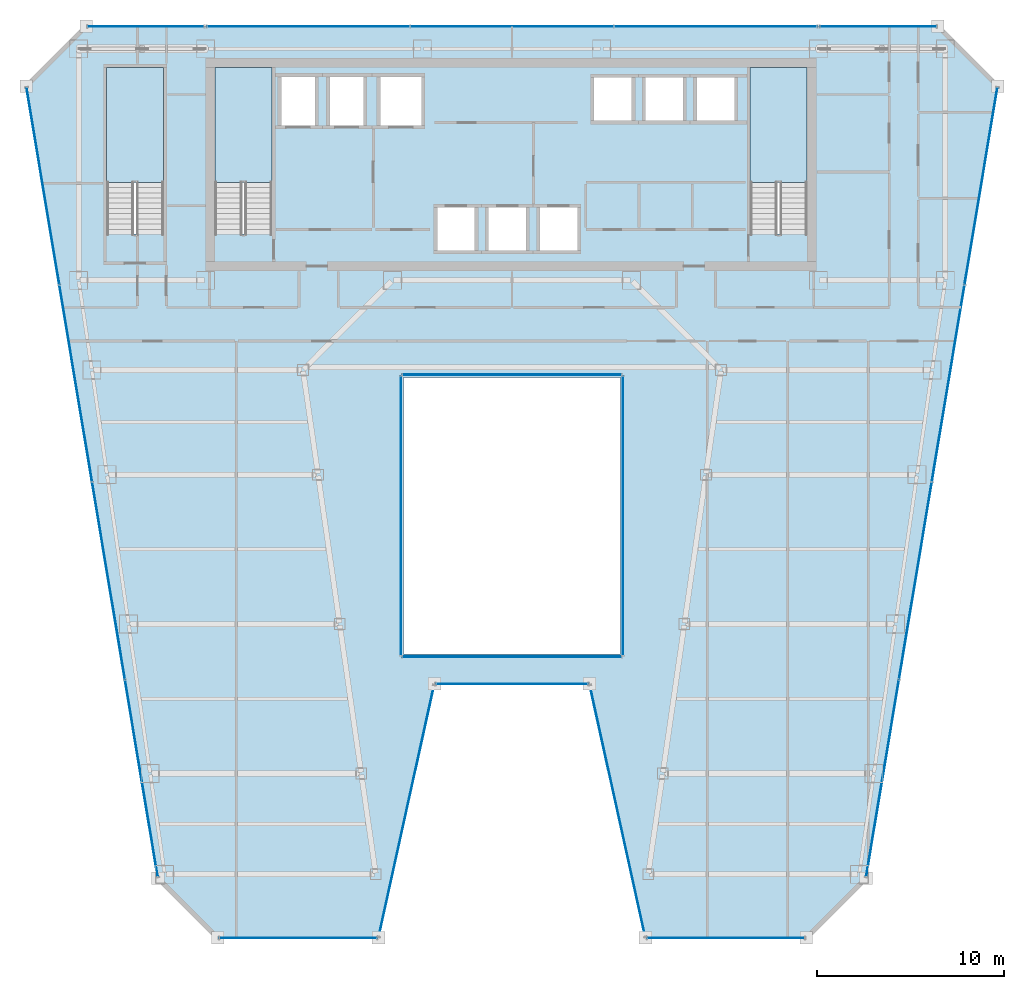
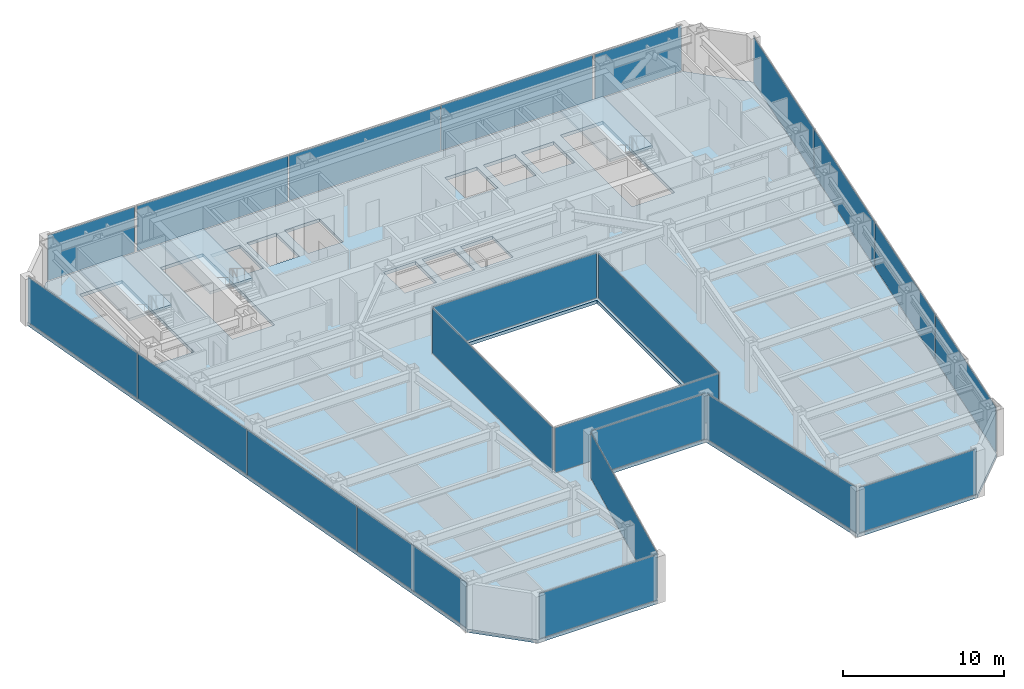
# One storey, part 29 of 37: 22 plates, 4 slabs, 17 elements without a shape of their own.
"""IFC4 building model written with IfcOpenShell, lengths in metres."""

from ifc_helpers import new_model, si_unit, direction, frame, origin, origin_2d, place, context, subcontext, project, spatial, polyline, rectangle, outline, extrude, material, layer, layer_set, type_object, element, aggregate, save


model = new_model("IFC4")

# Units and contexts
model_context = context("Model", 3, precision=1e-05, world=origin(), true_north=direction((0.0, 1.0)))
body_context = subcontext(model_context, "Body", "Model", "MODEL_VIEW")
ifc_project = project(units=[si_unit("LENGTHUNIT", "METRE"), si_unit("AREAUNIT", "SQUARE_METRE"), si_unit("VOLUMEUNIT", "CUBIC_METRE"), si_unit("PLANEANGLEUNIT", "RADIAN"), si_unit("MASSUNIT", "GRAM", prefix="KILO")], contexts=[model_context])

# Site, building, storey
site_placement = place(None, origin())
site = spatial("IfcSite", under=ifc_project, at=site_placement, CompositionType="ELEMENT")
building_placement = place(site_placement, origin())
building = spatial("IfcBuilding", under=site, at=building_placement, Name="Saevonmaru Cultural Tower", CompositionType="ELEMENT")
storey_placement = place(building_placement, frame((0.0, 0.0, 141.0)))
storey = spatial("IfcBuildingStorey", under=building, at=storey_placement, Name="L30", CompositionType="ELEMENT", Elevation=141.0)

# Curtain wall, plate
ifc_material_1 = material(Name="Satin Bronze Anodised Aluminium", Category="aluminium")
curtain_wall_type_1 = type_object("IfcCurtainWallType", Name="CW-ATR-GLZ", PredefinedType="NOTDEFINED", material=ifc_material_1)
curtain_wall_1_placement = place(storey_placement, origin())
curtain_wall_1 = element("IfcCurtainWall", 1, at=curtain_wall_1_placement, inside=storey, type_object=curtain_wall_type_1, Name="L30 Vertical Atrium Glazed Smoke Screen 1", PredefinedType="NOTDEFINED")
ifc_material_2 = material(Name="Fire-Rated Laminated Atrium Glass", Category="glass")
ifc_layer_1 = layer(ifc_material_2, 0.031982421875, Name="Fire-Rated Laminated Atrium Glass")
ifc_layer_set_1 = layer_set([ifc_layer_1], Name="Fire-Rated Laminated Atrium Glass")
plate_type_1 = type_object("IfcPlateType", Name="PN-GLZ-ATR-INT", PredefinedType="CURTAIN_PANEL", material=ifc_layer_set_1)
plate_1_placement = place(storey_placement, frame((30.0, 22.25, 0.06689453125), z_axis=(0.0, 0.0, 1.0), x_axis=(1.0, 0.0, 0.0)))
plate_1 = element("IfcPlate", 2, at=plate_1_placement, type_object=plate_type_1, Name="CW-ATR-L30-1 panel 1.1", PredefinedType="CURTAIN_PANEL", context=body_context, shape_type="SweptSolid", body=[
    extrude(rectangle(XDim=11.7109375, YDim=0.031982421875, at=origin_2d()), origin(), (0.0, 0.0, 1.0), 3.416015625),
])
aggregate(curtain_wall_1, [plate_1])

curtain_wall_2_placement = place(storey_placement, origin())
curtain_wall_2 = element("IfcCurtainWall", 3, at=curtain_wall_2_placement, inside=storey, type_object=curtain_wall_type_1, Name="L30 Vertical Atrium Glazed Smoke Screen 2", PredefinedType="NOTDEFINED")
plate_2_placement = place(storey_placement, frame((35.949951171875, 29.800048828125, 0.06689453125), z_axis=(0.0, 0.0, 1.0), x_axis=(0.0, 1.0, 0.0)))
plate_2 = element("IfcPlate", 4, at=plate_2_placement, type_object=plate_type_1, Name="CW-ATR-L30-2 panel 1.1", PredefinedType="CURTAIN_PANEL", context=body_context, shape_type="SweptSolid", body=[
    extrude(rectangle(XDim=14.910888671875, YDim=0.031982421875, at=origin_2d()), origin(), (0.0, 0.0, 1.0), 3.416015625),
])
aggregate(curtain_wall_2, [plate_2])

curtain_wall_3_placement = place(storey_placement, origin())
curtain_wall_3 = element("IfcCurtainWall", 5, at=curtain_wall_3_placement, inside=storey, type_object=curtain_wall_type_1, Name="L30 Vertical Atrium Glazed Smoke Screen 3", PredefinedType="NOTDEFINED")
plate_3_placement = place(storey_placement, frame((30.0, 37.35009765625, 0.06689453125), z_axis=(0.0, 0.0, 1.0), x_axis=(-1.0, 0.0, 0.0)))
plate_3 = element("IfcPlate", 6, at=plate_3_placement, type_object=plate_type_1, Name="CW-ATR-L30-3 panel 1.1", PredefinedType="CURTAIN_PANEL", context=body_context, shape_type="SweptSolid", body=[
    extrude(rectangle(XDim=11.7109375, YDim=0.031982421875, at=origin_2d()), origin(), (0.0, 0.0, 1.0), 3.416015625),
])
aggregate(curtain_wall_3, [plate_3])

curtain_wall_4_placement = place(storey_placement, origin())
curtain_wall_4 = element("IfcCurtainWall", 7, at=curtain_wall_4_placement, inside=storey, type_object=curtain_wall_type_1, Name="L30 Vertical Atrium Glazed Smoke Screen 4", PredefinedType="NOTDEFINED")
plate_4_placement = place(storey_placement, frame((24.050048828125, 29.800048828125, 0.06689453125), z_axis=(0.0, 0.0, 1.0), x_axis=(0.0, -1.0, 0.0)))
plate_4 = element("IfcPlate", 8, at=plate_4_placement, type_object=plate_type_1, Name="CW-ATR-L30-4 panel 1.1", PredefinedType="CURTAIN_PANEL", context=body_context, shape_type="SweptSolid", body=[
    extrude(rectangle(XDim=14.910888671875, YDim=0.031982421875, at=origin_2d()), origin(), (0.0, 0.0, 1.0), 3.416015625),
])
aggregate(curtain_wall_4, [plate_4])

curtain_wall_type_2 = type_object("IfcCurtainWallType", Name="CW-TYP-A", PredefinedType="NOTDEFINED", material=ifc_material_1)
curtain_wall_5_placement = place(storey_placement, origin())
curtain_wall_5 = element("IfcCurtainWall", 9, at=curtain_wall_5_placement, inside=storey, type_object=curtain_wall_type_2, Name="L30 Unitised Curtain Wall E2", PredefinedType="NOTDEFINED")
ifc_material_3 = material(Name="Triple Silver Low-E Insulating Glass", Category="glass")
ifc_layer_2 = layer(ifc_material_3, 0.035888671875, Name="Triple Silver Low-E Insulating Glass")
ifc_layer_set_2 = layer_set([ifc_layer_2], Name="Triple Silver Low-E Insulating Glass")
plate_type_2 = type_object("IfcPlateType", Name="PN-GLZ-IGU", PredefinedType="CURTAIN_PANEL", material=ifc_layer_set_2)
plate_5_placement = place(storey_placement, frame((18.548828125, 7.199951171875, 0.06689453125), z_axis=(0.0, 0.0, 1.0), x_axis=(1.0, 0.0, 0.0)))
plate_5 = element("IfcPlate", 10, at=plate_5_placement, type_object=plate_type_2, Name="CW-TW-L30-E2 panel 1.1", PredefinedType="CURTAIN_PANEL", context=body_context, shape_type="SweptSolid", body=[
    extrude(rectangle(XDim=8.410888671875, YDim=0.035888671875, at=origin_2d()), origin(), (0.0, 0.0, 1.0), 3.416015625),
])
aggregate(curtain_wall_5, [plate_5])

curtain_wall_6_placement = place(storey_placement, origin())
curtain_wall_6 = element("IfcCurtainWall", 11, at=curtain_wall_6_placement, inside=storey, type_object=curtain_wall_type_2, Name="L30 Unitised Curtain Wall E3", PredefinedType="NOTDEFINED")
plate_6_placement = place(storey_placement, frame((24.348876953125, 14.0, 0.06689453125), z_axis=(0.0, 0.0, 1.0), x_axis=(0.215413319953, 0.976522965212, 0.0)))
plate_6 = element("IfcPlate", 12, at=plate_6_placement, type_object=plate_type_2, Name="CW-TW-L30-E3 panel 1.1", PredefinedType="CURTAIN_PANEL", context=body_context, shape_type="SweptSolid", body=[
    extrude(rectangle(XDim=13.738037109375, YDim=0.035888671875, at=origin_2d()), origin(), (0.0, 0.0, 1.0), 3.416015625),
])
aggregate(curtain_wall_6, [plate_6])

curtain_wall_7_placement = place(storey_placement, origin())
curtain_wall_7 = element("IfcCurtainWall", 13, at=curtain_wall_7_placement, inside=storey, type_object=curtain_wall_type_2, Name="L30 Unitised Curtain Wall E4", PredefinedType="NOTDEFINED")
plate_7_placement = place(storey_placement, frame((30.0, 20.800048828125, 0.06689453125), z_axis=(0.0, 0.0, 1.0), x_axis=(1.0, 0.0, 0.0)))
plate_7 = element("IfcPlate", 14, at=plate_7_placement, type_object=plate_type_2, Name="CW-TW-L30-E4 panel 1.1", PredefinedType="CURTAIN_PANEL", context=body_context, shape_type="SweptSolid", body=[
    extrude(rectangle(XDim=8.11328125, YDim=0.035888671875, at=origin_2d()), origin(), (0.0, 0.0, 1.0), 3.416015625),
])
aggregate(curtain_wall_7, [plate_7])

curtain_wall_8_placement = place(storey_placement, origin())
curtain_wall_8 = element("IfcCurtainWall", 15, at=curtain_wall_8_placement, inside=storey, type_object=curtain_wall_type_2, Name="L30 Unitised Curtain Wall E5", PredefinedType="NOTDEFINED")
plate_8_placement = place(storey_placement, frame((35.651123046875, 14.0, 0.06689453125), z_axis=(0.0, 0.0, 1.0), x_axis=(0.215413319953, -0.976522965212, 0.0)))
plate_8 = element("IfcPlate", 16, at=plate_8_placement, type_object=plate_type_2, Name="CW-TW-L30-E5 panel 1.1", PredefinedType="CURTAIN_PANEL", context=body_context, shape_type="SweptSolid", body=[
    extrude(rectangle(XDim=13.738037109375, YDim=0.035888671875, at=origin_2d()), origin(), (0.0, 0.0, 1.0), 3.416015625),
])
aggregate(curtain_wall_8, [plate_8])

curtain_wall_9_placement = place(storey_placement, origin())
curtain_wall_9 = element("IfcCurtainWall", 17, at=curtain_wall_9_placement, inside=storey, type_object=curtain_wall_type_2, Name="L30 Unitised Curtain Wall E6", PredefinedType="NOTDEFINED")
plate_9_placement = place(storey_placement, frame((41.451171875, 7.199951171875, 0.06689453125), z_axis=(0.0, 0.0, 1.0), x_axis=(1.0, 0.0, 0.0)))
plate_9 = element("IfcPlate", 18, at=plate_9_placement, type_object=plate_type_2, Name="CW-TW-L30-E6 panel 1.1", PredefinedType="CURTAIN_PANEL", context=body_context, shape_type="SweptSolid", body=[
    extrude(rectangle(XDim=8.410888671875, YDim=0.035888671875, at=origin_2d()), origin(), (0.0, 0.0, 1.0), 3.416015625),
])
aggregate(curtain_wall_9, [plate_9])

# Curtain wall, plates
curtain_wall_10_placement = place(storey_placement, origin())
curtain_wall_10 = element("IfcCurtainWall", 19, at=curtain_wall_10_placement, inside=storey, type_object=curtain_wall_type_2, Name="L30 Unitised Curtain Wall E8", PredefinedType="NOTDEFINED")
plate_10_placement = place(storey_placement, frame((49.839599609375, 15.744384765625, 0.06689453125), z_axis=(0.0, 0.0, 1.0), x_axis=(0.163998702345, 0.986460554523, 0.0)))
plate_10 = element("IfcPlate", 20, at=plate_10_placement, type_object=plate_type_2, Name="CW-TW-L30-E8 panel 1.1", PredefinedType="CURTAIN_PANEL", context=body_context, shape_type="SweptSolid", body=[
    extrude(rectangle(XDim=10.646484375, YDim=0.035888671875, at=origin_2d()), origin(), (0.0, 0.0, 1.0), 3.416015625),
])
plate_11_placement = place(storey_placement, frame((51.596923828125, 26.314697265625, 0.06689453125), z_axis=(0.0, 0.0, 1.0), x_axis=(0.163998702345, 0.986460554523, 0.0)))
plate_11 = element("IfcPlate", 21, at=plate_11_placement, type_object=plate_type_2, Name="CW-TW-L30-E8 panel 2.1", PredefinedType="CURTAIN_PANEL", context=body_context, shape_type="SweptSolid", body=[
    extrude(rectangle(XDim=10.646484375, YDim=0.035888671875, at=origin_2d()), origin(), (0.0, 0.0, 1.0), 3.416015625),
])
plate_12_placement = place(storey_placement, frame((53.354248046875, 36.88525390625, 0.06689453125), z_axis=(0.0, 0.0, 1.0), x_axis=(0.163998702345, 0.986460554523, 0.0)))
plate_12 = element("IfcPlate", 22, at=plate_12_placement, type_object=plate_type_2, Name="CW-TW-L30-E8 panel 3.1", PredefinedType="CURTAIN_PANEL", context=body_context, shape_type="SweptSolid", body=[
    extrude(rectangle(XDim=10.646484375, YDim=0.035888671875, at=origin_2d()), origin(), (0.0, 0.0, 1.0), 3.416015625),
])
plate_13_placement = place(storey_placement, frame((55.111572265625, 47.45556640625, 0.06689453125), z_axis=(0.0, 0.0, 1.0), x_axis=(0.163998702345, 0.986460554523, 0.0)))
plate_13 = element("IfcPlate", 23, at=plate_13_placement, type_object=plate_type_2, Name="CW-TW-L30-E8 panel 4.1", PredefinedType="CURTAIN_PANEL", context=body_context, shape_type="SweptSolid", body=[
    extrude(rectangle(XDim=10.646484375, YDim=0.035888671875, at=origin_2d()), origin(), (0.0, 0.0, 1.0), 3.416015625),
])
aggregate(curtain_wall_10, [plate_10, plate_11, plate_12, plate_13])

curtain_wall_11_placement = place(storey_placement, origin())
curtain_wall_11 = element("IfcCurtainWall", 24, at=curtain_wall_11_placement, inside=storey, type_object=curtain_wall_type_2, Name="L30 North Spine Unitised Curtain Wall E10B", PredefinedType="NOTDEFINED")
plate_14_placement = place(storey_placement, frame((40.893310546875, 56.0, 0.06689453125), z_axis=(0.0, 0.0, 1.0), x_axis=(-1.0, 0.0, 0.0)))
plate_14 = element("IfcPlate", 25, at=plate_14_placement, type_object=plate_type_2, Name="CW-TW-L30-E10B panel 1.1", PredefinedType="CURTAIN_PANEL", context=body_context, shape_type="SweptSolid", body=[
    extrude(rectangle(XDim=10.82421875, YDim=0.035888671875, at=origin_2d()), origin(), (0.0, 0.0, 1.0), 3.416015625),
])
plate_15_placement = place(storey_placement, frame((30.0, 56.0, 0.06689453125), z_axis=(0.0, 0.0, 1.0), x_axis=(-1.0, 0.0, 0.0)))
plate_15 = element("IfcPlate", 26, at=plate_15_placement, type_object=plate_type_2, Name="CW-TW-L30-E10B panel 2.1", PredefinedType="CURTAIN_PANEL", context=body_context, shape_type="SweptSolid", body=[
    extrude(rectangle(XDim=10.82421875, YDim=0.035888671875, at=origin_2d()), origin(), (0.0, 0.0, 1.0), 3.416015625),
])
plate_16_placement = place(storey_placement, frame((19.106689453125, 56.0, 0.06689453125), z_axis=(0.0, 0.0, 1.0), x_axis=(-1.0, 0.0, 0.0)))
plate_16 = element("IfcPlate", 27, at=plate_16_placement, type_object=plate_type_2, Name="CW-TW-L30-E10B panel 3.1", PredefinedType="CURTAIN_PANEL", context=body_context, shape_type="SweptSolid", body=[
    extrude(rectangle(XDim=10.82421875, YDim=0.035888671875, at=origin_2d()), origin(), (0.0, 0.0, 1.0), 3.416015625),
])
aggregate(curtain_wall_11, [plate_14, plate_15, plate_16])

curtain_wall_12_placement = place(storey_placement, origin())
curtain_wall_12 = element("IfcCurtainWall", 28, at=curtain_wall_12_placement, inside=storey, type_object=curtain_wall_type_2, Name="L30 Unitised Curtain Wall E12", PredefinedType="NOTDEFINED")
plate_17_placement = place(storey_placement, frame((4.888427734375, 47.45556640625, 0.06689453125), z_axis=(0.0, 0.0, 1.0), x_axis=(0.163998702345, -0.986460554523, 0.0)))
plate_17 = element("IfcPlate", 29, at=plate_17_placement, type_object=plate_type_2, Name="CW-TW-L30-E12 panel 1.1", PredefinedType="CURTAIN_PANEL", context=body_context, shape_type="SweptSolid", body=[
    extrude(rectangle(XDim=10.646484375, YDim=0.035888671875, at=origin_2d()), origin(), (0.0, 0.0, 1.0), 3.416015625),
])
plate_18_placement = place(storey_placement, frame((6.645751953125, 36.88525390625, 0.06689453125), z_axis=(0.0, 0.0, 1.0), x_axis=(0.163998702345, -0.986460554523, 0.0)))
plate_18 = element("IfcPlate", 30, at=plate_18_placement, type_object=plate_type_2, Name="CW-TW-L30-E12 panel 2.1", PredefinedType="CURTAIN_PANEL", context=body_context, shape_type="SweptSolid", body=[
    extrude(rectangle(XDim=10.646484375, YDim=0.035888671875, at=origin_2d()), origin(), (0.0, 0.0, 1.0), 3.416015625),
])
plate_19_placement = place(storey_placement, frame((8.403076171875, 26.314697265625, 0.06689453125), z_axis=(0.0, 0.0, 1.0), x_axis=(0.163998702345, -0.986460554523, 0.0)))
plate_19 = element("IfcPlate", 31, at=plate_19_placement, type_object=plate_type_2, Name="CW-TW-L30-E12 panel 3.1", PredefinedType="CURTAIN_PANEL", context=body_context, shape_type="SweptSolid", body=[
    extrude(rectangle(XDim=10.646484375, YDim=0.035888671875, at=origin_2d()), origin(), (0.0, 0.0, 1.0), 3.416015625),
])
plate_20_placement = place(storey_placement, frame((10.160400390625, 15.744384765625, 0.06689453125), z_axis=(0.0, 0.0, 1.0), x_axis=(0.163998702345, -0.986460554523, 0.0)))
plate_20 = element("IfcPlate", 32, at=plate_20_placement, type_object=plate_type_2, Name="CW-TW-L30-E12 panel 4.1", PredefinedType="CURTAIN_PANEL", context=body_context, shape_type="SweptSolid", body=[
    extrude(rectangle(XDim=10.646484375, YDim=0.035888671875, at=origin_2d()), origin(), (0.0, 0.0, 1.0), 3.416015625),
])
aggregate(curtain_wall_12, [plate_17, plate_18, plate_19, plate_20])

# Curtain wall, plate
curtain_wall_13_placement = place(storey_placement, origin())
curtain_wall_13 = element("IfcCurtainWall", 33, at=curtain_wall_13_placement, inside=storey, type_object=curtain_wall_type_2, Name="L30 East Braced Bay Spandrel Curtain Wall E10A", PredefinedType="NOTDEFINED")
ifc_material_4 = material(Name="Insulated Satin Bronze Aluminium Spandrel Panel", Category="aluminium")
ifc_layer_3 = layer(ifc_material_4, 0.0400390625, Name="Insulated Satin Bronze Aluminium Spandrel Panel")
ifc_layer_set_3 = layer_set([ifc_layer_3], Name="Insulated Satin Bronze Aluminium Spandrel Panel")
plate_type_3 = type_object("IfcPlateType", Name="PN-SPANDREL-BRONZE", PredefinedType="CURTAIN_PANEL", material=ifc_layer_set_3)
plate_21_placement = place(storey_placement, frame((49.60009765625, 56.0, 0.06689453125), z_axis=(0.0, 0.0, 1.0), x_axis=(-1.0, 0.0, 0.0)))
plate_21 = element("IfcPlate", 34, at=plate_21_placement, type_object=plate_type_3, Name="CW-TW-L30-E10A panel 1.1", PredefinedType="CURTAIN_PANEL", context=body_context, shape_type="SweptSolid", body=[
    extrude(rectangle(XDim=6.2109375, YDim=0.035888671875, at=origin_2d()), origin(), (0.0, 0.0, 1.0), 3.416015625),
])
aggregate(curtain_wall_13, [plate_21])

curtain_wall_14_placement = place(storey_placement, origin())
curtain_wall_14 = element("IfcCurtainWall", 35, at=curtain_wall_14_placement, inside=storey, type_object=curtain_wall_type_2, Name="L30 West Braced Bay Spandrel Curtain Wall E10C", PredefinedType="NOTDEFINED")
plate_22_placement = place(storey_placement, frame((10.39990234375, 56.0, 0.06689453125), z_axis=(0.0, 0.0, 1.0), x_axis=(-1.0, 0.0, 0.0)))
plate_22 = element("IfcPlate", 36, at=plate_22_placement, type_object=plate_type_3, Name="CW-TW-L30-E10C panel 1.1", PredefinedType="CURTAIN_PANEL", context=body_context, shape_type="SweptSolid", body=[
    extrude(rectangle(XDim=6.2109375, YDim=0.035888671875, at=origin_2d()), origin(), (0.0, 0.0, 1.0), 3.416015625),
])
aggregate(curtain_wall_14, [plate_22])

# Slab
ifc_material_5 = material(Name="Concrete C40/50", Category="concrete")
ifc_layer_4 = layer(ifc_material_5, 0.25, Name="Concrete C40/50")
ifc_layer_set_4 = layer_set([ifc_layer_4], Name="Concrete C40/50")
slab_type_1 = type_object("IfcSlabType", Name="SL-FLR-250", PredefinedType="FLOOR", material=ifc_layer_set_4)
slab_1_placement = place(storey_placement, frame((0.0, 0.0, -0.25)))
element("IfcSlab", 37, at=slab_1_placement, inside=storey, type_object=slab_type_1, Name="L30 Tower Structural Floor Slab", PredefinedType="FLOOR", context=body_context, shape_type="SweptSolid", body=[
    extrude(outline(polyline([(11.048828125, 10.39990234375), (14.248779296875, 7.199951171875), (22.848876953125, 7.199951171875), (25.848876953125, 20.800048828125), (34.151123046875, 20.800048828125), (37.151123046875, 7.199951171875), (45.751220703125, 7.199951171875), (48.951171875, 10.39990234375), (56.0, 52.800048828125), (52.800048828125, 56.0), (7.199951171875, 56.0), (4.0, 52.800048828125), (11.048828125, 10.39990234375)]), holes=[polyline([(45.800048828125, 44.875), (42.75, 44.875), (42.75, 53.800048828125), (45.800048828125, 53.800048828125), (45.800048828125, 44.875)]), polyline([(39.75, 50.800048828125), (39.75, 53.39990234375), (42.050048828125, 53.39990234375), (42.050048828125, 50.800048828125), (39.75, 50.800048828125)]), polyline([(37.0, 50.800048828125), (37.0, 53.39990234375), (39.300048828125, 53.39990234375), (39.300048828125, 50.800048828125), (37.0, 50.800048828125)]), polyline([(34.25, 50.800048828125), (34.25, 53.39990234375), (36.550048828125, 53.39990234375), (36.550048828125, 50.800048828125), (34.25, 50.800048828125)]), polyline([(24.199951171875, 22.39990234375), (24.199951171875, 37.199951171875), (35.800048828125, 37.199951171875), (35.800048828125, 22.39990234375), (24.199951171875, 22.39990234375)]), polyline([(31.35009765625, 43.85009765625), (31.35009765625, 46.449951171875), (33.64990234375, 46.449951171875), (33.64990234375, 43.85009765625), (31.35009765625, 43.85009765625)]), polyline([(28.60009765625, 43.85009765625), (28.60009765625, 46.449951171875), (30.89990234375, 46.449951171875), (30.89990234375, 43.85009765625), (28.60009765625, 43.85009765625)]), polyline([(28.14990234375, 43.85009765625), (25.85009765625, 43.85009765625), (25.85009765625, 46.449951171875), (28.14990234375, 46.449951171875), (28.14990234375, 43.85009765625)]), polyline([(25.300048828125, 50.550048828125), (22.800048828125, 50.550048828125), (22.800048828125, 53.449951171875), (25.300048828125, 53.449951171875), (25.300048828125, 50.550048828125)]), polyline([(20.10009765625, 50.550048828125), (20.10009765625, 53.449951171875), (22.199951171875, 53.449951171875), (22.199951171875, 50.550048828125), (20.10009765625, 50.550048828125)]), polyline([(17.5, 50.550048828125), (17.5, 53.449951171875), (19.60009765625, 53.449951171875), (19.60009765625, 50.550048828125), (17.5, 50.550048828125)]), polyline([(17.14990234375, 53.800048828125), (17.14990234375, 44.875), (14.10009765625, 44.875), (14.10009765625, 53.800048828125), (17.14990234375, 53.800048828125)]), polyline([(11.35009765625, 44.875), (8.300048828125, 44.875), (8.300048828125, 53.800048828125), (11.35009765625, 53.800048828125), (11.35009765625, 44.875)])]), origin(), (0.0, 0.0, 1.0), 0.25),
])

# Stair, slab
stair_type = type_object("IfcStairType", Name="STR-DOGLEG-RC", PredefinedType="HALF_TURN_STAIR", material=ifc_material_5)
stair_1_placement = place(storey_placement, origin())
stair_1 = element("IfcStair", 38, at=stair_1_placement, inside=storey, type_object=stair_type, Name="L30 Protected exit stair ST-1", PredefinedType="HALF_TURN_STAIR")
ifc_layer_5 = layer(ifc_material_5, 0.199951171875, Name="Concrete C40/50")
ifc_layer_set_5 = layer_set([ifc_layer_5], Name="Concrete C40/50")
slab_type_2 = type_object("IfcSlabType", Name="SL-STAIR-LANDING", PredefinedType="LANDING", material=ifc_layer_set_5)
slab_2_placement = place(storey_placement, frame((0.0, 0.0, 1.699951171875)))
slab_2 = element("IfcSlab", 39, at=slab_2_placement, type_object=slab_type_2, Name="ST-1-L30 landing 1", PredefinedType="LANDING", context=body_context, shape_type="SweptSolid", body=[
    extrude(outline(polyline([(17.14990234375, 47.64990234375), (17.14990234375, 53.800048828125), (14.10009765625, 53.800048828125), (14.10009765625, 47.64990234375), (17.14990234375, 47.64990234375)])), origin(), (0.0, 0.0, 1.0), 0.199951171875),
])
aggregate(stair_1, [slab_2])

stair_2_placement = place(storey_placement, origin())
stair_2 = element("IfcStair", 40, at=stair_2_placement, inside=storey, type_object=stair_type, Name="L30 Protected exit stair ST-2", PredefinedType="HALF_TURN_STAIR")
slab_3_placement = place(storey_placement, frame((0.0, 0.0, 1.699951171875)))
slab_3 = element("IfcSlab", 41, at=slab_3_placement, type_object=slab_type_2, Name="ST-2-L30 landing 1", PredefinedType="LANDING", context=body_context, shape_type="SweptSolid", body=[
    extrude(outline(polyline([(45.800048828125, 47.64990234375), (45.800048828125, 53.800048828125), (42.75, 53.800048828125), (42.75, 47.64990234375), (45.800048828125, 47.64990234375)])), origin(), (0.0, 0.0, 1.0), 0.199951171875),
])
aggregate(stair_2, [slab_3])

stair_3_placement = place(storey_placement, origin())
stair_3 = element("IfcStair", 42, at=stair_3_placement, inside=storey, type_object=stair_type, Name="L30 Protected exit stair ST-3", PredefinedType="HALF_TURN_STAIR")
slab_4_placement = place(storey_placement, frame((0.0, 0.0, 1.699951171875)))
slab_4 = element("IfcSlab", 43, at=slab_4_placement, type_object=slab_type_2, Name="ST-3-L30 landing 1", PredefinedType="LANDING", context=body_context, shape_type="SweptSolid", body=[
    extrude(outline(polyline([(11.35009765625, 47.64990234375), (11.35009765625, 53.800048828125), (8.300048828125, 53.800048828125), (8.300048828125, 47.64990234375), (11.35009765625, 47.64990234375)])), origin(), (0.0, 0.0, 1.0), 0.199951171875),
])
aggregate(stair_3, [slab_4])

save(model, "model.ifc")
